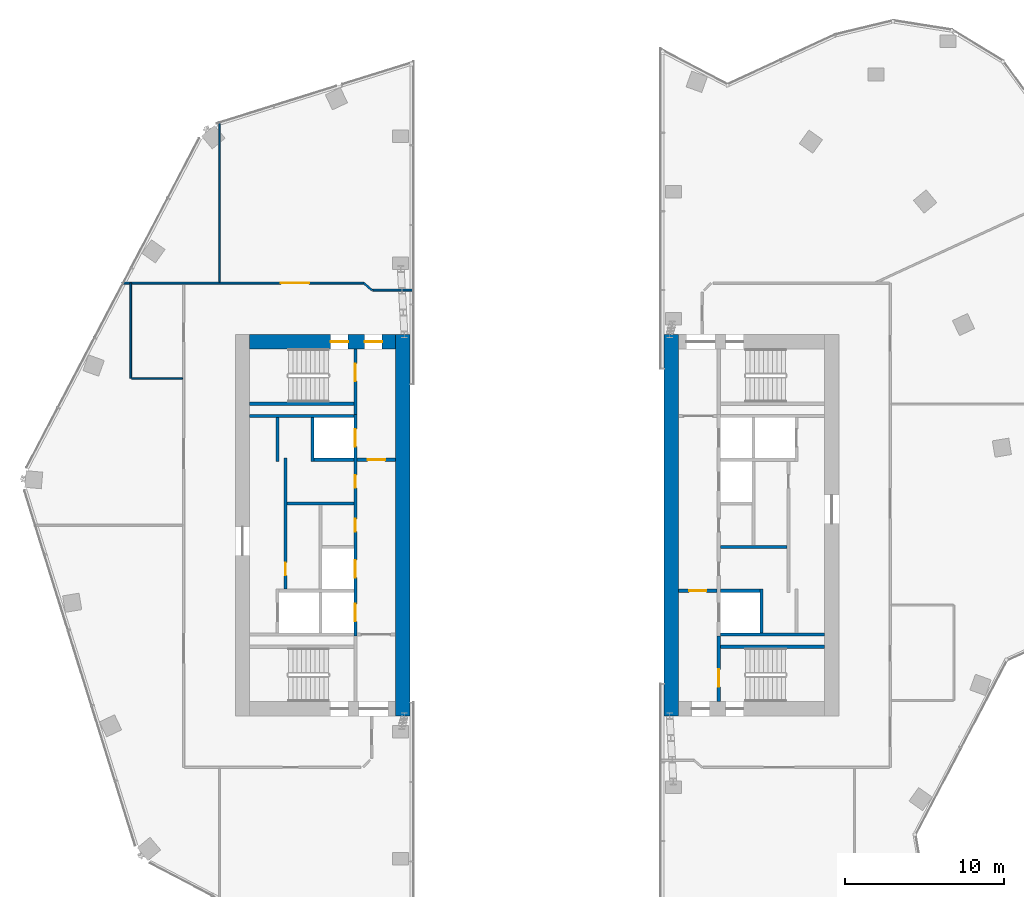
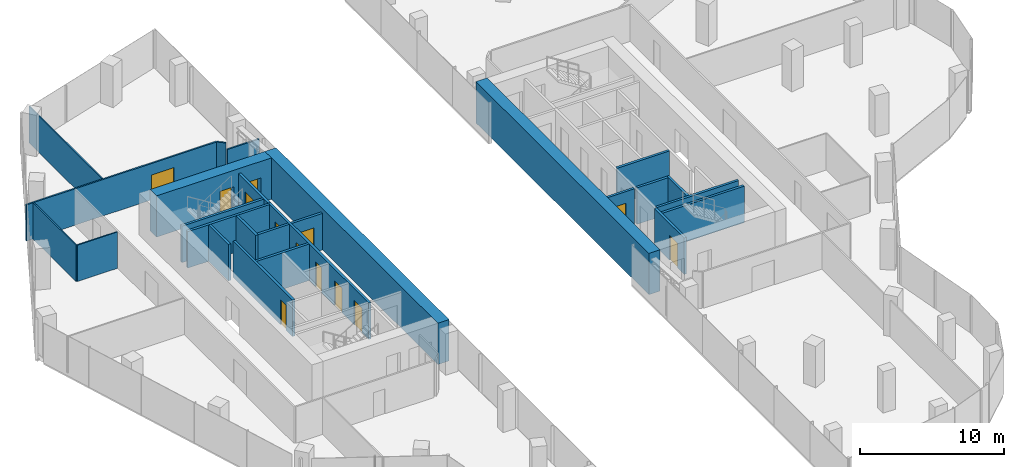
# One storey, part 19 of 23: 26 walls, 13 doors, 13 openings.
"""IFC4 building model written with IfcOpenShell, lengths in metres."""

from ifc_helpers import new_model, si_unit, direction, frame, frame_2d, origin, place, context, subcontext, project, spatial, rectangle, extrude, material, layer, layer_set, type_object, element, fill, save


model = new_model("IFC4")

# Units and contexts
model_context = context("Model", 3, precision=1e-05, world=origin(), true_north=direction((0.0, 1.0)))
body_context = subcontext(model_context, "Body", "Model", "MODEL_VIEW")
ifc_project = project(units=[si_unit("LENGTHUNIT", "METRE"), si_unit("AREAUNIT", "SQUARE_METRE"), si_unit("VOLUMEUNIT", "CUBIC_METRE"), si_unit("PLANEANGLEUNIT", "RADIAN"), si_unit("MASSUNIT", "GRAM", prefix="KILO")], contexts=[model_context])

# Site, building, storey
site_placement = place(None, origin())
site = spatial("IfcSite", under=ifc_project, at=site_placement, CompositionType="ELEMENT")
building_placement = place(site_placement, origin())
building = spatial("IfcBuilding", under=site, at=building_placement, Name="Orlundy Tower", CompositionType="ELEMENT")
storey_placement = place(building_placement, frame((0.0, 0.0, 260.5)))
storey = spatial("IfcBuildingStorey", under=building, at=storey_placement, Name="L69", CompositionType="ELEMENT", Elevation=260.5)

# Wall, openings, doors
ifc_material_1 = material(Name="Concrete C60/75", Category="concrete")
ifc_layer_1 = layer(ifc_material_1, 0.89990234375)
ifc_layer_set_1 = layer_set([ifc_layer_1], Name="CORE WALL 900 C60/75")
wall_type_1 = type_object("IfcWallType", Name="CORE WALL 900 C60/75", PredefinedType="SHEAR", material=ifc_layer_set_1)
wall_1_placement = place(storey_placement, frame((-18.10009765625, 11.550048828125, 0.0), z_axis=(0.0, 0.0, 1.0), x_axis=(1.0, 0.0, 0.0)))
wall_1 = element("IfcWall", 1, at=wall_1_placement, inside=storey, type_object=wall_type_1, Name="Core wall W-N L69", PredefinedType="SHEAR", context=body_context, shape_type="SweptSolid", body=[
    extrude(rectangle(XDim=9.2001953125, YDim=0.89990234375, at=frame_2d((4.60009765625, 0.0))), origin(), (0.0, 0.0, 1.0), 3.5),
])
opening_1_placement = place(wall_1_placement, frame((7.25, 0.0, 0.0)))
opening_1 = element("IfcOpeningElement", 2, at=opening_1_placement, cuts=wall_1, Name="Opening 52009", PredefinedType="OPENING", context=body_context, shape_type="SweptSolid", body=[
    extrude(rectangle(XDim=1.10009765625, YDim=2.10009765625, at=frame_2d((0.550048828125, 1.050048828125))), frame((0.0, 0.4599609375, 0.0), z_axis=(0.0, -1.0, 0.0), x_axis=(1.0, 0.0, 0.0)), (0.0, 0.0, 1.0), 0.919921875),
])
opening_2_placement = place(wall_1_placement, frame((5.10009765625, 0.0, 0.0)))
opening_2 = element("IfcOpeningElement", 3, at=opening_2_placement, cuts=wall_1, Name="Opening 52013", PredefinedType="OPENING", context=body_context, shape_type="SweptSolid", body=[
    extrude(rectangle(XDim=1.10009765625, YDim=2.10009765625, at=frame_2d((0.550048828125, 1.050048828125))), frame((0.0, 0.4599609375, 0.0), z_axis=(0.0, -1.0, 0.0), x_axis=(1.0, 0.0, 0.0)), (0.0, 0.0, 1.0), 0.919921875),
])
ifc_material_2 = material(Name="Steel door set", Category="steel")
door_type_1 = type_object("IfcDoorType", Name="Fire-fighting Lobby Door 1100x2100", OperationType="SINGLE_SWING_LEFT", PredefinedType="DOOR", material=ifc_material_2)
door_1_placement = place(opening_1_placement, origin())
door_1 = element("IfcDoor", 4, at=door_1_placement, inside=storey, type_object=door_type_1, Name="Fire-fighting lobby door 52009", OperationType="SINGLE_SWING_RIGHT", OverallHeight=2.10009765625, OverallWidth=1.10009765625, PredefinedType="DOOR", context=body_context, shape_type="SweptSolid", body=[
    extrude(rectangle(XDim=1.10009765625, YDim=2.10009765625, at=frame_2d((0.550048828125, 1.050048828125))), frame((0.0, 0.02490234375, 0.0), z_axis=(0.0, -1.0, 0.0), x_axis=(1.0, 0.0, 0.0)), (0.0, 0.0, 1.0), 0.050048828125),
])
fill(opening_1, door_1)
ifc_material_3 = material(Name="Steel door set", Category="steel")
door_type_2 = type_object("IfcDoorType", Name="Stair Door 1100x2100", OperationType="SINGLE_SWING_LEFT", PredefinedType="DOOR", material=ifc_material_3)
door_2_placement = place(opening_2_placement, origin())
door_2 = element("IfcDoor", 5, at=door_2_placement, inside=storey, type_object=door_type_2, Name="Stair door 52013", OperationType="SINGLE_SWING_RIGHT", OverallHeight=2.10009765625, OverallWidth=1.10009765625, PredefinedType="DOOR", context=body_context, shape_type="SweptSolid", body=[
    extrude(rectangle(XDim=1.10009765625, YDim=2.10009765625, at=frame_2d((0.550048828125, 1.050048828125))), frame((0.0, 0.02490234375, 0.0), z_axis=(0.0, -1.0, 0.0), x_axis=(1.0, 0.0, 0.0)), (0.0, 0.0, 1.0), 0.050048828125),
])
fill(opening_2, door_2)

# Walls
for number, where, z_axis, x_axis, name in (
    (6, (-8.449951171875, -12.0, 0.0), (0.0, 0.0, 1.0), (0.0, 1.0, 0.0), "Core wall W-E L69"),
    (7, (8.449951171875, -12.0, 0.0), (0.0, 0.0, 1.0), (0.0, 1.0, 0.0), "Core wall E-W L69"),
):
    element("IfcWall", number, at=place(storey_placement, frame(where, z_axis=z_axis, x_axis=x_axis)), inside=storey, type_object=wall_type_1, Name=name, PredefinedType="SHEAR", context=body_context, shape_type="SweptSolid", body=[
        extrude(rectangle(XDim=24.0, YDim=0.89990234375, at=frame_2d((12.0, 0.0))), origin(), (0.0, 0.0, 1.0), 3.5),
    ])
ifc_material_4 = material(Name="Gypsum board partition")
ifc_layer_2 = layer(ifc_material_4, 0.10009765625)
ifc_layer_set_2 = layer_set([ifc_layer_2], Name="Floor partition 100")
wall_type_2 = type_object("IfcWallType", Name="Floor partition 100", PredefinedType="PARTITIONING", material=ifc_layer_set_2)
wall_2_placement = place(storey_placement, frame((-25.531982421875, 9.2490234375, 0.0), z_axis=(0.0, 0.0, 1.0), x_axis=(1.0, 0.0, 0.0)))
element("IfcWall", 8, at=wall_2_placement, inside=storey, type_object=wall_type_2, Name="wall-int-L69-008", PredefinedType="PARTITIONING", context=body_context, shape_type="SweptSolid", body=[
    extrude(rectangle(XDim=3.219970703125, YDim=0.10009765625, at=frame_2d((1.60986328125, 0.0))), origin(), (0.0, 0.0, 1.0), 3.080078125),
])
wall_3_placement = place(storey_placement, frame((-20.0, 15.31298828125, 0.0), z_axis=(0.0, 0.0, 1.0), x_axis=(0.0, 1.0, 0.0)))
element("IfcWall", 9, at=wall_3_placement, inside=storey, type_object=wall_type_2, Name="wall-int-L69-023", PredefinedType="PARTITIONING", context=body_context, shape_type="SweptSolid", body=[
    extrude(rectangle(XDim=10.134033203125, YDim=0.10009765625, at=frame_2d((5.06689453125, 0.0))), origin(), (0.0, 0.0, 1.0), 3.080078125),
])
wall_4_placement = place(storey_placement, frame((-25.58203125, 9.2490234375, 0.0), z_axis=(0.0, 0.0, 1.0), x_axis=(0.0, 1.0, 0.0)))
element("IfcWall", 10, at=wall_4_placement, inside=storey, type_object=wall_type_2, Name="wall-int-L69-025", PredefinedType="PARTITIONING", context=body_context, shape_type="SweptSolid", body=[
    extrude(rectangle(XDim=6.0, YDim=0.10009765625, at=frame_2d((3.0, 0.0))), origin(), (0.0, 0.0, 1.0), 3.080078125),
])

# Wall, opening, door
ifc_material_5 = material(Name="Gypsum board partition, double layer")
ifc_layer_3 = layer(ifc_material_5, 0.125)
ifc_layer_set_3 = layer_set([ifc_layer_3], Name="Floor partition 125")
wall_type_3 = type_object("IfcWallType", Name="Floor partition 125", PredefinedType="PARTITIONING", material=ifc_layer_set_3)
wall_5_placement = place(storey_placement, frame((-26.159912109375, 15.25, 0.0), z_axis=(0.0, 0.0, 1.0), x_axis=(1.0, 0.0, 0.0)))
wall_5 = element("IfcWall", 11, at=wall_5_placement, inside=storey, type_object=wall_type_3, Name="wall-int-L69-010", PredefinedType="PARTITIONING", context=body_context, shape_type="SweptSolid", body=[
    extrude(rectangle(XDim=15.247802734375, YDim=0.125, at=frame_2d((7.6240234375, 0.0))), origin(), (0.0, 0.0, 1.0), 3.080078125),
])
opening_3_placement = place(wall_5_placement, frame((10.010009765625, 0.0, 0.0)))
opening_3 = element("IfcOpeningElement", 12, at=opening_3_placement, cuts=wall_5, Name="Opening 52108", PredefinedType="OPENING", context=body_context, shape_type="SweptSolid", body=[
    extrude(rectangle(XDim=1.800048828125, YDim=2.10009765625, at=frame_2d((0.89990234375, 1.050048828125))), frame((0.0, 0.072509765625, 0.0), z_axis=(0.0, -1.0, 0.0), x_axis=(1.0, 0.0, 0.0)), (0.0, 0.0, 1.0), 0.14501953125),
])
ifc_material_6 = material(Name="Timber door leaf", Category="wood")
door_type_3 = type_object("IfcDoorType", Name="Floor door double 1800 FD30S", OperationType="NOTDEFINED", PredefinedType="DOOR", material=ifc_material_6)
door_3_placement = place(opening_3_placement, origin())
door_3 = element("IfcDoor", 13, at=door_3_placement, inside=storey, type_object=door_type_3, Name="Door 52108", OperationType="DOUBLE_DOOR_SINGLE_SWING", OverallHeight=2.10009765625, OverallWidth=1.800048828125, PredefinedType="DOOR", context=body_context, shape_type="SweptSolid", body=[
    extrude(rectangle(XDim=1.800048828125, YDim=2.10009765625, at=frame_2d((0.89990234375, 1.050048828125))), frame((0.0, 0.02490234375, 0.0), z_axis=(0.0, -1.0, 0.0), x_axis=(1.0, 0.0, 0.0)), (0.0, 0.0, 1.0), 0.050048828125),
])
fill(opening_3, door_3)

# Walls
wall_6_placement = place(storey_placement, frame((-10.39892578125, 14.801025390625, 0.0), z_axis=(0.0, 0.0, 1.0), x_axis=(-0.752621053173, 0.658453909032, 0.0)))
element("IfcWall", 14, at=wall_6_placement, inside=storey, type_object=wall_type_3, Name="wall-int-L69-021", PredefinedType="PARTITIONING", context=body_context, shape_type="SweptSolid", body=[
    extrude(rectangle(XDim=0.681884765625, YDim=0.125, at=frame_2d((0.3408203125, 0.0))), origin(), (0.0, 0.0, 1.0), 3.080078125),
])
ifc_material_7 = material(Name="Gypsum board partition, double layer")
ifc_layer_4 = layer(ifc_material_7, 0.125)
ifc_layer_set_4 = layer_set([ifc_layer_4], Name="Floor partition 125 B")
wall_type_4 = type_object("IfcWallType", Name="Floor partition 125 B", PredefinedType="PARTITIONING", material=ifc_layer_set_4)
wall_7_placement = place(storey_placement, frame((-10.3359375, 14.801025390625, 0.0), z_axis=(0.0, 0.0, 1.0), x_axis=(1.0, 0.0, 0.0)))
element("IfcWall", 15, at=wall_7_placement, inside=storey, type_object=wall_type_4, Name="wall-int-L69-009", PredefinedType="PARTITIONING", context=body_context, shape_type="SweptSolid", body=[
    extrude(rectangle(XDim=2.5859375, YDim=0.125, at=frame_2d((1.29296875, 0.0))), origin(), (0.0, 0.0, 1.0), 2.496337890625),
])

# Wall, opening, door
ifc_material_8 = material(Name="Concrete C40/50", Category="concrete")
ifc_layer_5 = layer(ifc_material_8, 0.199951171875)
ifc_layer_set_5 = layer_set([ifc_layer_5], Name="Load-bearing Shaft Wall 200")
wall_type_5 = type_object("IfcWallType", Name="Load-bearing Shaft Wall 200", PredefinedType="SOLIDWALL", material=ifc_layer_set_5)
wall_8_placement = place(storey_placement, frame((-11.43994140625, 6.97509765625, 0.0), z_axis=(0.0, 0.0, 1.0), x_axis=(0.0, 1.0, 0.0)))
wall_8 = element("IfcWall", 16, at=wall_8_placement, inside=storey, type_object=wall_type_5, Name="Shaft wall W52-stair-end-n", PredefinedType="SOLIDWALL", context=body_context, shape_type="SweptSolid", body=[
    extrude(rectangle(XDim=4.125, YDim=0.199951171875, at=frame_2d((2.0625, 0.0))), origin(), (0.0, 0.0, 1.0), 3.090087890625),
])
opening_4_placement = place(wall_8_placement, frame((2.10009765625, 0.0, 0.0)))
opening_4 = element("IfcOpeningElement", 17, at=opening_4_placement, cuts=wall_8, Name="Opening 52015", PredefinedType="OPENING", context=body_context, shape_type="SweptSolid", body=[
    extrude(rectangle(XDim=1.10009765625, YDim=2.10009765625, at=frame_2d((0.550048828125, 1.050048828125))), frame((0.0, 0.110107421875, 0.0), z_axis=(0.0, -1.0, 0.0), x_axis=(1.0, 0.0, 0.0)), (0.0, 0.0, 1.0), 0.22021484375),
])
door_4_placement = place(opening_4_placement, origin())
door_4 = element("IfcDoor", 18, at=door_4_placement, inside=storey, type_object=door_type_1, Name="Fire-fighting lobby to stair door 52015", OperationType="SINGLE_SWING_RIGHT", OverallHeight=2.10009765625, OverallWidth=1.10009765625, PredefinedType="DOOR", context=body_context, shape_type="SweptSolid", body=[
    extrude(rectangle(XDim=1.10009765625, YDim=2.10009765625, at=frame_2d((0.550048828125, 1.050048828125))), frame((0.0, 0.02490234375, 0.0), z_axis=(0.0, -1.0, 0.0), x_axis=(1.0, 0.0, 0.0)), (0.0, 0.0, 1.0), 0.050048828125),
])
fill(opening_4, door_4)

# Wall
wall_9_placement = place(storey_placement, frame((-11.5400390625, 7.64990234375, 0.0), z_axis=(0.0, 0.0, 1.0), x_axis=(-1.0, 0.0, 0.0)))
element("IfcWall", 19, at=wall_9_placement, inside=storey, type_object=wall_type_5, Name="Shaft wall W52-stair-side-n", PredefinedType="SOLIDWALL", context=body_context, shape_type="SweptSolid", body=[
    extrude(rectangle(XDim=6.56005859375, YDim=0.199951171875, at=frame_2d((3.280029296875, 0.0))), origin(), (0.0, 0.0, 1.0), 3.090087890625),
])

# Wall, opening, door
wall_10_placement = place(storey_placement, frame((11.43994140625, -6.97509765625, 0.0), z_axis=(0.0, 0.0, 1.0), x_axis=(0.0, -1.0, 0.0)))
wall_10 = element("IfcWall", 20, at=wall_10_placement, inside=storey, type_object=wall_type_5, Name="Shaft wall E52-stair-end-n", PredefinedType="SOLIDWALL", context=body_context, shape_type="SweptSolid", body=[
    extrude(rectangle(XDim=4.125, YDim=0.199951171875, at=frame_2d((2.0625, 0.0))), origin(), (0.0, 0.0, 1.0), 3.090087890625),
])
opening_5_placement = place(wall_10_placement, frame((2.10009765625, 0.0, 0.0)))
opening_5 = element("IfcOpeningElement", 21, at=opening_5_placement, cuts=wall_10, Name="Opening 52064", PredefinedType="OPENING", context=body_context, shape_type="SweptSolid", body=[
    extrude(rectangle(XDim=1.10009765625, YDim=2.10009765625, at=frame_2d((0.550048828125, 1.050048828125))), frame((0.0, 0.110107421875, 0.0), z_axis=(0.0, -1.0, 0.0), x_axis=(1.0, 0.0, 0.0)), (0.0, 0.0, 1.0), 0.22021484375),
])
door_5_placement = place(opening_5_placement, origin())
door_5 = element("IfcDoor", 22, at=door_5_placement, inside=storey, type_object=door_type_1, Name="Fire-fighting lobby to stair door 52064", OperationType="SINGLE_SWING_RIGHT", OverallHeight=2.10009765625, OverallWidth=1.10009765625, PredefinedType="DOOR", context=body_context, shape_type="SweptSolid", body=[
    extrude(rectangle(XDim=1.10009765625, YDim=2.10009765625, at=frame_2d((0.550048828125, 1.050048828125))), frame((0.0, 0.02490234375, 0.0), z_axis=(0.0, -1.0, 0.0), x_axis=(1.0, 0.0, 0.0)), (0.0, 0.0, 1.0), 0.050048828125),
])
fill(opening_5, door_5)

# Wall
wall_11_placement = place(storey_placement, frame((11.5400390625, -7.64990234375, 0.0), z_axis=(0.0, 0.0, 1.0), x_axis=(1.0, 0.0, 0.0)))
element("IfcWall", 23, at=wall_11_placement, inside=storey, type_object=wall_type_5, Name="Shaft wall E52-stair-side-n", PredefinedType="SOLIDWALL", context=body_context, shape_type="SweptSolid", body=[
    extrude(rectangle(XDim=6.56005859375, YDim=0.199951171875, at=frame_2d((3.280029296875, 0.0))), origin(), (0.0, 0.0, 1.0), 3.090087890625),
])

# Wall, opening, door
ifc_material_9 = material(Name="Gypsum board partition on steel studs", Category="steel")
ifc_layer_6 = layer(ifc_material_9, 0.199951171875)
ifc_layer_set_6 = layer_set([ifc_layer_6], Name="Partition 200")
wall_type_6 = type_object("IfcWallType", Name="Partition 200", PredefinedType="PARTITIONING", material=ifc_layer_set_6)
wall_12_placement = place(storey_placement, frame((-8.89990234375, 4.125, 0.0), z_axis=(0.0, 0.0, 1.0), x_axis=(-1.0, 0.0, 0.0)))
wall_12 = element("IfcWall", 24, at=wall_12_placement, inside=storey, type_object=wall_type_6, Name="Partition wall W52-lobby-n", PredefinedType="PARTITIONING", context=body_context, shape_type="SweptSolid", body=[
    extrude(rectangle(XDim=2.440185546875, YDim=0.199951171875, at=frame_2d((1.22021484375, 0.0))), origin(), (0.0, 0.0, 1.0), 3.090087890625),
])
opening_6_placement = place(wall_12_placement, frame((0.669921875, 0.0, 0.0)))
opening_6 = element("IfcOpeningElement", 25, at=opening_6_placement, cuts=wall_12, Name="Opening 52010", PredefinedType="OPENING", context=body_context, shape_type="SweptSolid", body=[
    extrude(rectangle(XDim=1.10009765625, YDim=2.10009765625, at=frame_2d((0.550048828125, 1.050048828125))), frame((0.0, 0.110107421875, 0.0), z_axis=(0.0, -1.0, 0.0), x_axis=(1.0, 0.0, 0.0)), (0.0, 0.0, 1.0), 0.22021484375),
])
door_6_placement = place(opening_6_placement, origin())
door_6 = element("IfcDoor", 26, at=door_6_placement, inside=storey, type_object=door_type_1, Name="Lift lobby to fire-fighting lobby door 52010", OperationType="SINGLE_SWING_RIGHT", OverallHeight=2.10009765625, OverallWidth=1.10009765625, PredefinedType="DOOR", context=body_context, shape_type="SweptSolid", body=[
    extrude(rectangle(XDim=1.10009765625, YDim=2.10009765625, at=frame_2d((0.550048828125, 1.050048828125))), frame((0.0, 0.02490234375, 0.0), z_axis=(0.0, -1.0, 0.0), x_axis=(1.0, 0.0, 0.0)), (0.0, 0.0, 1.0), 0.050048828125),
])
fill(opening_6, door_6)

wall_13_placement = place(storey_placement, frame((8.89990234375, -4.125, 0.0), z_axis=(0.0, 0.0, 1.0), x_axis=(1.0, 0.0, 0.0)))
wall_13 = element("IfcWall", 27, at=wall_13_placement, inside=storey, type_object=wall_type_6, Name="Partition wall E52-lobby-n", PredefinedType="PARTITIONING", context=body_context, shape_type="SweptSolid", body=[
    extrude(rectangle(XDim=2.440185546875, YDim=0.199951171875, at=frame_2d((1.22021484375, 0.0))), origin(), (0.0, 0.0, 1.0), 3.090087890625),
])
opening_7_placement = place(wall_13_placement, frame((0.669921875, 0.0, 0.0)))
opening_7 = element("IfcOpeningElement", 28, at=opening_7_placement, cuts=wall_13, Name="Opening 52059", PredefinedType="OPENING", context=body_context, shape_type="SweptSolid", body=[
    extrude(rectangle(XDim=1.10009765625, YDim=2.10009765625, at=frame_2d((0.550048828125, 1.050048828125))), frame((0.0, 0.110107421875, 0.0), z_axis=(0.0, -1.0, 0.0), x_axis=(1.0, 0.0, 0.0)), (0.0, 0.0, 1.0), 0.22021484375),
])
door_7_placement = place(opening_7_placement, origin())
door_7 = element("IfcDoor", 29, at=door_7_placement, inside=storey, type_object=door_type_1, Name="Lift lobby to fire-fighting lobby door 52059", OperationType="SINGLE_SWING_RIGHT", OverallHeight=2.10009765625, OverallWidth=1.10009765625, PredefinedType="DOOR", context=body_context, shape_type="SweptSolid", body=[
    extrude(rectangle(XDim=1.10009765625, YDim=2.10009765625, at=frame_2d((0.550048828125, 1.050048828125))), frame((0.0, 0.02490234375, 0.0), z_axis=(0.0, -1.0, 0.0), x_axis=(1.0, 0.0, 0.0)), (0.0, 0.0, 1.0), 0.050048828125),
])
fill(opening_7, door_7)

# Walls
ifc_material_10 = material(Name="Fire-rated blockwork shaft wall", Category="masonry")
ifc_layer_7 = layer(ifc_material_10, 0.199951171875)
ifc_layer_set_7 = layer_set([ifc_layer_7], Name="Shaft Wall 200")
wall_type_7 = type_object("IfcWallType", Name="Shaft Wall 200", PredefinedType="SOLIDWALL", material=ifc_layer_set_7)
wall_14_placement = place(storey_placement, frame((-11.5400390625, 6.875, 0.0), z_axis=(0.0, 0.0, 1.0), x_axis=(-1.0, 0.0, 0.0)))
element("IfcWall", 30, at=wall_14_placement, inside=storey, type_object=wall_type_7, Name="Shaft wall W52-zone-n", PredefinedType="SOLIDWALL", context=body_context, shape_type="SweptSolid", body=[
    extrude(rectangle(XDim=6.56005859375, YDim=0.199951171875, at=frame_2d((3.280029296875, 0.0))), origin(), (0.0, 0.0, 1.0), 3.090087890625),
])
wall_15_placement = place(storey_placement, frame((-11.5400390625, 1.375, 0.0), z_axis=(0.0, 0.0, 1.0), x_axis=(-1.0, 0.0, 0.0)))
element("IfcWall", 31, at=wall_15_placement, inside=storey, type_object=wall_type_7, Name="Shaft wall W52-cross+1.375", PredefinedType="SOLIDWALL", context=body_context, shape_type="SweptSolid", body=[
    extrude(rectangle(XDim=4.199951171875, YDim=0.199951171875, at=frame_2d((2.10009765625, 0.0))), origin(), (0.0, 0.0, 1.0), 3.090087890625),
])
wall_16_placement = place(storey_placement, frame((-11.5400390625, 4.125, 0.0), z_axis=(0.0, 0.0, 1.0), x_axis=(-1.0, 0.0, 0.0)))
element("IfcWall", 32, at=wall_16_placement, inside=storey, type_object=wall_type_7, Name="Shaft wall W52-cross+4.125", PredefinedType="SOLIDWALL", context=body_context, shape_type="SweptSolid", body=[
    extrude(rectangle(XDim=2.5, YDim=0.199951171875, at=frame_2d((1.25, 0.0))), origin(), (0.0, 0.0, 1.0), 3.090087890625),
])

# Wall, openings, doors
wall_17_placement = place(storey_placement, frame((-11.43994140625, -6.97509765625, 0.0), z_axis=(0.0, 0.0, 1.0), x_axis=(0.0, 1.0, 0.0)))
wall_17 = element("IfcWall", 33, at=wall_17_placement, inside=storey, type_object=wall_type_7, Name="Shaft wall W52-front-h", PredefinedType="SOLIDWALL", context=body_context, shape_type="SweptSolid", body=[
    extrude(rectangle(XDim=13.9501953125, YDim=0.199951171875, at=frame_2d((6.97509765625, 0.0))), origin(), (0.0, 0.0, 1.0), 3.090087890625),
])
opening_8_placement = place(wall_17_placement, frame((0.925048828125, 0.0, 0.0)))
opening_8 = element("IfcOpeningElement", 34, at=opening_8_placement, cuts=wall_17, Name="Opening 52001", PredefinedType="OPENING", context=body_context, shape_type="SweptSolid", body=[
    extrude(rectangle(XDim=1.10009765625, YDim=2.10009765625, at=frame_2d((0.550048828125, 1.050048828125))), frame((0.0, 0.110107421875, 0.0), z_axis=(0.0, -1.0, 0.0), x_axis=(1.0, 0.0, 0.0)), (0.0, 0.0, 1.0), 0.22021484375),
])
opening_9_placement = place(wall_17_placement, frame((3.675048828125, 0.0, 0.0)))
opening_9 = element("IfcOpeningElement", 35, at=opening_9_placement, cuts=wall_17, Name="Opening 52003", PredefinedType="OPENING", context=body_context, shape_type="SweptSolid", body=[
    extrude(rectangle(XDim=1.10009765625, YDim=2.10009765625, at=frame_2d((0.550048828125, 1.050048828125))), frame((0.0, 0.110107421875, 0.0), z_axis=(0.0, -1.0, 0.0), x_axis=(1.0, 0.0, 0.0)), (0.0, 0.0, 1.0), 0.22021484375),
])
opening_10_placement = place(wall_17_placement, frame((11.925048828125, 0.0, 0.0)))
opening_10 = element("IfcOpeningElement", 36, at=opening_10_placement, cuts=wall_17, Name="Opening 52004", PredefinedType="OPENING", context=body_context, shape_type="SweptSolid", body=[
    extrude(rectangle(XDim=1.10009765625, YDim=2.10009765625, at=frame_2d((0.550048828125, 1.050048828125))), frame((0.0, 0.110107421875, 0.0), z_axis=(0.0, -1.0, 0.0), x_axis=(1.0, 0.0, 0.0)), (0.0, 0.0, 1.0), 0.22021484375),
])
opening_11_placement = place(wall_17_placement, frame((6.574951171875, 0.0, 0.0)))
opening_11 = element("IfcOpeningElement", 37, at=opening_11_placement, cuts=wall_17, Name="Opening 52006", PredefinedType="OPENING", context=body_context, shape_type="SweptSolid", body=[
    extrude(rectangle(XDim=0.800048828125, YDim=2.10009765625, at=frame_2d((0.39990234375, 1.050048828125))), frame((0.0, 0.110107421875, 0.0), z_axis=(0.0, -1.0, 0.0), x_axis=(1.0, 0.0, 0.0)), (0.0, 0.0, 1.0), 0.22021484375),
])
opening_12_placement = place(wall_17_placement, frame((9.324951171875, 0.0, 0.0)))
opening_12 = element("IfcOpeningElement", 38, at=opening_12_placement, cuts=wall_17, Name="Opening 52007", PredefinedType="OPENING", context=body_context, shape_type="SweptSolid", body=[
    extrude(rectangle(XDim=0.800048828125, YDim=2.10009765625, at=frame_2d((0.39990234375, 1.050048828125))), frame((0.0, 0.110107421875, 0.0), z_axis=(0.0, -1.0, 0.0), x_axis=(1.0, 0.0, 0.0)), (0.0, 0.0, 1.0), 0.22021484375),
])
ifc_material_11 = material(Name="Steel door set", Category="steel")
door_type_4 = type_object("IfcDoorType", Name="Landing Door 1100x2100", OperationType="DOUBLE_DOOR_SLIDING", PredefinedType="DOOR", material=ifc_material_11)
door_8_placement = place(opening_8_placement, origin())
door_8 = element("IfcDoor", 39, at=door_8_placement, inside=storey, type_object=door_type_4, Name="Lift landing door LP-22 52001", OperationType="DOUBLE_DOOR_SLIDING", OverallHeight=2.10009765625, OverallWidth=1.10009765625, PredefinedType="DOOR", context=body_context, shape_type="SweptSolid", body=[
    extrude(rectangle(XDim=1.10009765625, YDim=2.10009765625, at=frame_2d((0.550048828125, 1.050048828125))), frame((0.0, 0.02490234375, 0.0), z_axis=(0.0, -1.0, 0.0), x_axis=(1.0, 0.0, 0.0)), (0.0, 0.0, 1.0), 0.050048828125),
])
fill(opening_8, door_8)
door_9_placement = place(opening_9_placement, origin())
door_9 = element("IfcDoor", 40, at=door_9_placement, inside=storey, type_object=door_type_4, Name="Lift landing door LP-21 52003", OperationType="DOUBLE_DOOR_SLIDING", OverallHeight=2.10009765625, OverallWidth=1.10009765625, PredefinedType="DOOR", context=body_context, shape_type="SweptSolid", body=[
    extrude(rectangle(XDim=1.10009765625, YDim=2.10009765625, at=frame_2d((0.550048828125, 1.050048828125))), frame((0.0, 0.02490234375, 0.0), z_axis=(0.0, -1.0, 0.0), x_axis=(1.0, 0.0, 0.0)), (0.0, 0.0, 1.0), 0.050048828125),
])
fill(opening_9, door_9)
door_10_placement = place(opening_10_placement, origin())
door_10 = element("IfcDoor", 41, at=door_10_placement, inside=storey, type_object=door_type_4, Name="Lift landing door FL1 52004", OperationType="DOUBLE_DOOR_SLIDING", OverallHeight=2.10009765625, OverallWidth=1.10009765625, PredefinedType="DOOR", context=body_context, shape_type="SweptSolid", body=[
    extrude(rectangle(XDim=1.10009765625, YDim=2.10009765625, at=frame_2d((0.550048828125, 1.050048828125))), frame((0.0, 0.02490234375, 0.0), z_axis=(0.0, -1.0, 0.0), x_axis=(1.0, 0.0, 0.0)), (0.0, 0.0, 1.0), 0.050048828125),
])
fill(opening_10, door_10)
ifc_material_12 = material(Name="Timber door set", Category="wood")
door_type_5 = type_object("IfcDoorType", Name="Riser Door 800x2100", OperationType="SINGLE_SWING_LEFT", PredefinedType="DOOR", material=ifc_material_12)
door_11_placement = place(opening_11_placement, origin())
door_11 = element("IfcDoor", 42, at=door_11_placement, inside=storey, type_object=door_type_5, Name="Coat Store door 52006", OperationType="SINGLE_SWING_LEFT", OverallHeight=2.10009765625, OverallWidth=0.800048828125, PredefinedType="DOOR", context=body_context, shape_type="SweptSolid", body=[
    extrude(rectangle(XDim=0.800048828125, YDim=2.10009765625, at=frame_2d((0.39990234375, 1.050048828125))), frame((0.0, 0.02490234375, 0.0), z_axis=(0.0, -1.0, 0.0), x_axis=(1.0, 0.0, 0.0)), (0.0, 0.0, 1.0), 0.050048828125),
])
fill(opening_11, door_11)
door_12_placement = place(opening_12_placement, origin())
door_12 = element("IfcDoor", 43, at=door_12_placement, inside=storey, type_object=door_type_5, Name="Parcel Store door 52007", OperationType="SINGLE_SWING_LEFT", OverallHeight=2.10009765625, OverallWidth=0.800048828125, PredefinedType="DOOR", context=body_context, shape_type="SweptSolid", body=[
    extrude(rectangle(XDim=0.800048828125, YDim=2.10009765625, at=frame_2d((0.39990234375, 1.050048828125))), frame((0.0, 0.02490234375, 0.0), z_axis=(0.0, -1.0, 0.0), x_axis=(1.0, 0.0, 0.0)), (0.0, 0.0, 1.0), 0.050048828125),
])
fill(opening_12, door_12)

# Wall
wall_18_placement = place(storey_placement, frame((-14.139892578125, 4.02490234375, 0.0), z_axis=(0.0, 0.0, 1.0), x_axis=(0.0, 1.0, 0.0)))
element("IfcWall", 44, at=wall_18_placement, inside=storey, type_object=wall_type_7, Name="Shaft wall W52-mid-b", PredefinedType="SOLIDWALL", context=body_context, shape_type="SweptSolid", body=[
    extrude(rectangle(XDim=2.75, YDim=0.199951171875, at=frame_2d((1.375, 0.0))), origin(), (0.0, 0.0, 1.0), 3.090087890625),
])

# Wall, opening, door
wall_19_placement = place(storey_placement, frame((-15.840087890625, -4.02490234375, 0.0), z_axis=(0.0, 0.0, 1.0), x_axis=(0.0, 1.0, 0.0)))
wall_19 = element("IfcWall", 45, at=wall_19_placement, inside=storey, type_object=wall_type_7, Name="Shaft wall W52-front-o-b", PredefinedType="SOLIDWALL", context=body_context, shape_type="SweptSolid", body=[
    extrude(rectangle(XDim=8.25, YDim=0.199951171875, at=frame_2d((4.125, 0.0))), origin(), (0.0, 0.0, 1.0), 3.090087890625),
])
opening_13_placement = place(wall_19_placement, frame((0.875, 0.0, 0.0)))
opening_13 = element("IfcOpeningElement", 46, at=opening_13_placement, cuts=wall_19, Name="Opening 52005", PredefinedType="OPENING", context=body_context, shape_type="SweptSolid", body=[
    extrude(rectangle(XDim=0.800048828125, YDim=2.10009765625, at=frame_2d((0.39990234375, 1.050048828125))), frame((0.0, 0.110107421875, 0.0), z_axis=(0.0, -1.0, 0.0), x_axis=(1.0, 0.0, 0.0)), (0.0, 0.0, 1.0), 0.22021484375),
])
door_13_placement = place(opening_13_placement, origin())
door_13 = element("IfcDoor", 47, at=door_13_placement, inside=storey, type_object=door_type_5, Name="Printer Paper Store door 52005", OperationType="SINGLE_SWING_LEFT", OverallHeight=2.10009765625, OverallWidth=0.800048828125, PredefinedType="DOOR", context=body_context, shape_type="SweptSolid", body=[
    extrude(rectangle(XDim=0.800048828125, YDim=2.10009765625, at=frame_2d((0.39990234375, 1.050048828125))), frame((0.0, 0.02490234375, 0.0), z_axis=(0.0, -1.0, 0.0), x_axis=(1.0, 0.0, 0.0)), (0.0, 0.0, 1.0), 0.050048828125),
])
fill(opening_13, door_13)

# Walls
wall_20_placement = place(storey_placement, frame((-16.340087890625, 4.02490234375, 0.0), z_axis=(0.0, 0.0, 1.0), x_axis=(0.0, 1.0, 0.0)))
element("IfcWall", 48, at=wall_20_placement, inside=storey, type_object=wall_type_7, Name="Shaft wall W52-front-o-c", PredefinedType="SOLIDWALL", context=body_context, shape_type="SweptSolid", body=[
    extrude(rectangle(XDim=2.75, YDim=0.199951171875, at=frame_2d((1.375, 0.0))), origin(), (0.0, 0.0, 1.0), 3.090087890625),
])
wall_21_placement = place(storey_placement, frame((11.5400390625, -6.875, 0.0), z_axis=(0.0, 0.0, 1.0), x_axis=(1.0, 0.0, 0.0)))
element("IfcWall", 49, at=wall_21_placement, inside=storey, type_object=wall_type_7, Name="Shaft wall E52-zone-n", PredefinedType="SOLIDWALL", context=body_context, shape_type="SweptSolid", body=[
    extrude(rectangle(XDim=6.56005859375, YDim=0.199951171875, at=frame_2d((3.280029296875, 0.0))), origin(), (0.0, 0.0, 1.0), 3.090087890625),
])
wall_22_placement = place(storey_placement, frame((11.5400390625, -1.375, 0.0), z_axis=(0.0, 0.0, 1.0), x_axis=(1.0, 0.0, 0.0)))
element("IfcWall", 50, at=wall_22_placement, inside=storey, type_object=wall_type_7, Name="Shaft wall E52-cross+1.375", PredefinedType="SOLIDWALL", context=body_context, shape_type="SweptSolid", body=[
    extrude(rectangle(XDim=4.199951171875, YDim=0.199951171875, at=frame_2d((2.10009765625, 0.0))), origin(), (0.0, 0.0, 1.0), 3.090087890625),
])
wall_23_placement = place(storey_placement, frame((11.5400390625, -4.125, 0.0), z_axis=(0.0, 0.0, 1.0), x_axis=(1.0, 0.0, 0.0)))
element("IfcWall", 51, at=wall_23_placement, inside=storey, type_object=wall_type_7, Name="Shaft wall E52-cross+4.125", PredefinedType="SOLIDWALL", context=body_context, shape_type="SweptSolid", body=[
    extrude(rectangle(XDim=2.5, YDim=0.199951171875, at=frame_2d((1.25, 0.0))), origin(), (0.0, 0.0, 1.0), 3.090087890625),
])
wall_24_placement = place(storey_placement, frame((14.139892578125, -4.02490234375, 0.0), z_axis=(0.0, 0.0, 1.0), x_axis=(0.0, -1.0, 0.0)))
element("IfcWall", 52, at=wall_24_placement, inside=storey, type_object=wall_type_7, Name="Shaft wall E52-mid-b", PredefinedType="SOLIDWALL", context=body_context, shape_type="SweptSolid", body=[
    extrude(rectangle(XDim=2.75, YDim=0.199951171875, at=frame_2d((1.375, 0.0))), origin(), (0.0, 0.0, 1.0), 3.090087890625),
])

save(model, "model.ifc")
